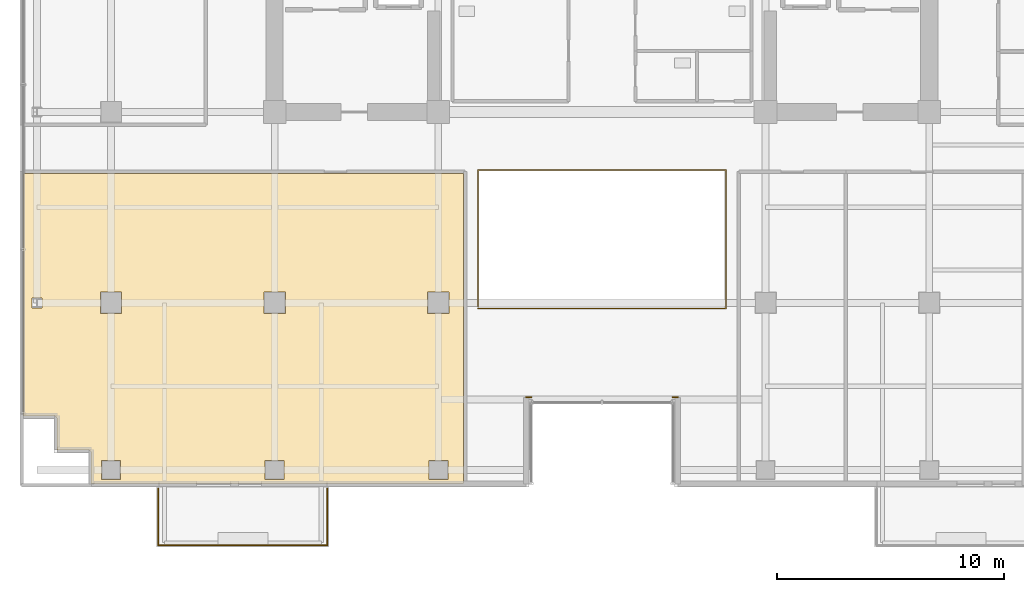
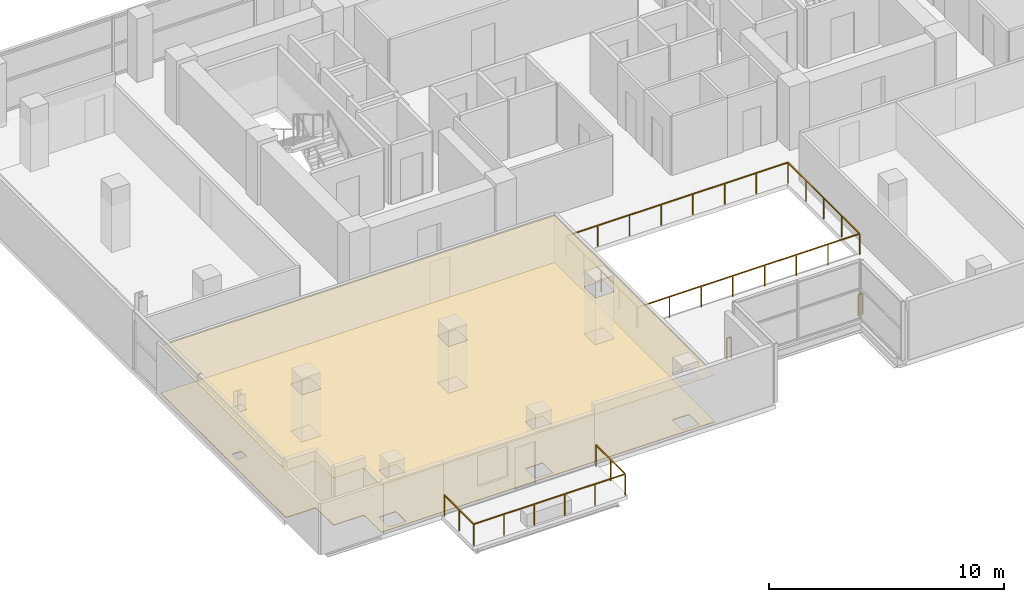
# One storey, part 21 of 25: 4 railings, 2 coverings.
"""IFC4 building model written with IfcOpenShell, lengths in metres."""

from ifc_helpers import new_model, si_unit, direction, frame, origin, origin_2d, place, context, subcontext, project, spatial, polyline, rectangle, outline, extrude, material, layer, layer_set, type_object, element, save


model = new_model("IFC4")

# Units and contexts
model_context = context("Model", 3, precision=1e-05, world=origin(), true_north=direction((0.0, 1.0)))
body_context = subcontext(model_context, "Body", "Model", "MODEL_VIEW")
ifc_project = project(units=[si_unit("LENGTHUNIT", "METRE"), si_unit("AREAUNIT", "SQUARE_METRE"), si_unit("VOLUMEUNIT", "CUBIC_METRE"), si_unit("PLANEANGLEUNIT", "RADIAN"), si_unit("MASSUNIT", "GRAM", prefix="KILO")], contexts=[model_context])

# Site, building, storey
site_placement = place(None, origin())
site = spatial("IfcSite", under=ifc_project, at=site_placement, CompositionType="ELEMENT")
building_placement = place(site_placement, origin())
building = spatial("IfcBuilding", under=site, at=building_placement, Name="Zarnakvel Exchange Tower", CompositionType="ELEMENT")
storey_placement = place(building_placement, frame((0.0, 0.0, 126.39990234375)))
storey = spatial("IfcBuildingStorey", under=building, at=storey_placement, Name="L35", CompositionType="ELEMENT", Elevation=126.39990234375)

# Coverings
ifc_material_1 = material(Name="Perforated Bronze Acoustic Metal Ceiling", Category="aluminium")
ifc_layer_1 = layer(ifc_material_1, 0.02001953125)
ifc_layer_set_1 = layer_set([ifc_layer_1], Name="Perforated Bronze Acoustic Metal Ceiling")
covering_type_1 = type_object("IfcCoveringType", Name="CLG-01", PredefinedType="CEILING", material=ifc_layer_set_1)
covering_1_placement = place(storey_placement, frame((0.0, 0.0, 2.455078125)))
element("IfcCovering", 1, at=covering_1_placement, inside=storey, type_object=covering_type_1, Name="L35 Suspended Acoustic Ceiling (Equities Trading Floor)", PredefinedType="CEILING", context=body_context, shape_type="SweptSolid", body=[
    extrude(outline(polyline([(-6.10009765625, -3.909912109375), (-6.10009765625, -17.550048828125), (-22.47998046875, -17.550048828125), (-22.47998046875, -16.199951171875), (-22.48046875, -16.188232421875), (-22.482421875, -16.176513671875), (-22.485107421875, -16.165283203125), (-22.489013671875, -16.154052734375), (-22.494140625, -16.143310546875), (-22.500244140625, -16.13330078125), (-22.50732421875, -16.123779296875), (-22.51513671875, -16.115234375), (-22.52392578125, -16.107177734375), (-22.533447265625, -16.100341796875), (-22.54345703125, -16.09423828125), (-22.55419921875, -16.089111328125), (-22.565185546875, -16.085205078125), (-22.57666015625, -16.082275390625), (-22.588134765625, -16.08056640625), (-22.60009765625, -16.080078125), (-23.97998046875, -16.080078125), (-23.97998046875, -14.699951171875), (-23.98046875, -14.688232421875), (-23.982421875, -14.676513671875), (-23.985107421875, -14.665283203125), (-23.989013671875, -14.654052734375), (-23.994140625, -14.643310546875), (-24.000244140625, -14.63330078125), (-24.00732421875, -14.623779296875), (-24.01513671875, -14.615234375), (-24.02392578125, -14.607177734375), (-24.033447265625, -14.600341796875), (-24.04345703125, -14.59423828125), (-24.05419921875, -14.589111328125), (-24.065185546875, -14.585205078125), (-24.07666015625, -14.582275390625), (-24.088134765625, -14.58056640625), (-24.10009765625, -14.580078125), (-25.449951171875, -14.580078125), (-25.449951171875, -3.909912109375), (-6.10009765625, -3.909912109375)]), holes=[polyline([(-7.669921875, -10.070068359375), (-6.72998046875, -10.070068359375), (-6.72998046875, -9.1298828125), (-7.669921875, -9.1298828125), (-7.669921875, -10.070068359375)]), polyline([(-6.780029296875, -17.3701171875), (-6.780029296875, -16.530029296875), (-7.6201171875, -16.530029296875), (-7.6201171875, -17.3701171875), (-6.780029296875, -17.3701171875)]), polyline([(-13.929931640625, -10.070068359375), (-13.929931640625, -9.1298828125), (-14.8701171875, -9.1298828125), (-14.8701171875, -10.070068359375), (-13.929931640625, -10.070068359375)]), polyline([(-13.97998046875, -17.3701171875), (-13.97998046875, -16.530029296875), (-14.820068359375, -16.530029296875), (-14.820068359375, -17.3701171875), (-13.97998046875, -17.3701171875)]), polyline([(-21.1298828125, -10.070068359375), (-21.1298828125, -9.1298828125), (-22.070068359375, -9.1298828125), (-22.070068359375, -10.070068359375), (-21.1298828125, -10.070068359375)]), polyline([(-21.179931640625, -17.3701171875), (-21.179931640625, -16.530029296875), (-22.02001953125, -16.530029296875), (-22.02001953125, -17.3701171875), (-21.179931640625, -17.3701171875)]), polyline([(-25.072021484375, -9.823486328125), (-24.6279296875, -9.823486328125), (-24.6279296875, -9.37646484375), (-25.072021484375, -9.37646484375), (-25.072021484375, -9.823486328125)])]), origin(), (0.0, 0.0, 1.0), 0.02001953125),
])
ifc_material_2 = material(Name="Heavy-Duty Raised Access Floor Panel", Category="steel")
ifc_layer_2 = layer(ifc_material_2, 0.034912109375)
ifc_layer_set_2 = layer_set([ifc_layer_2], Name="Heavy-Duty Raised Access Floor Panel")
covering_type_2 = type_object("IfcCoveringType", Name="FLR-02", PredefinedType="FLOORING", material=ifc_layer_set_2)
covering_2_placement = place(storey_placement, origin())
element("IfcCovering", 2, at=covering_2_placement, inside=storey, type_object=covering_type_2, Name="L35 Floor Finish (Equities Trading Floor)", PredefinedType="FLOORING", context=body_context, shape_type="SweptSolid", body=[
    extrude(outline(polyline([(-6.10009765625, -3.909912109375), (-6.10009765625, -17.550048828125), (-22.47998046875, -17.550048828125), (-22.47998046875, -16.199951171875), (-22.48046875, -16.188232421875), (-22.482421875, -16.176513671875), (-22.485107421875, -16.165283203125), (-22.489013671875, -16.154052734375), (-22.494140625, -16.143310546875), (-22.500244140625, -16.13330078125), (-22.50732421875, -16.123779296875), (-22.51513671875, -16.115234375), (-22.52392578125, -16.107177734375), (-22.533447265625, -16.100341796875), (-22.54345703125, -16.09423828125), (-22.55419921875, -16.089111328125), (-22.565185546875, -16.085205078125), (-22.57666015625, -16.082275390625), (-22.588134765625, -16.08056640625), (-22.60009765625, -16.080078125), (-23.97998046875, -16.080078125), (-23.97998046875, -14.699951171875), (-23.98046875, -14.688232421875), (-23.982421875, -14.676513671875), (-23.985107421875, -14.665283203125), (-23.989013671875, -14.654052734375), (-23.994140625, -14.643310546875), (-24.000244140625, -14.63330078125), (-24.00732421875, -14.623779296875), (-24.01513671875, -14.615234375), (-24.02392578125, -14.607177734375), (-24.033447265625, -14.600341796875), (-24.04345703125, -14.59423828125), (-24.05419921875, -14.589111328125), (-24.065185546875, -14.585205078125), (-24.07666015625, -14.582275390625), (-24.088134765625, -14.58056640625), (-24.10009765625, -14.580078125), (-25.449951171875, -14.580078125), (-25.449951171875, -3.909912109375), (-6.10009765625, -3.909912109375)]), holes=[polyline([(-7.669921875, -10.070068359375), (-6.72998046875, -10.070068359375), (-6.72998046875, -9.1298828125), (-7.669921875, -9.1298828125), (-7.669921875, -10.070068359375)]), polyline([(-6.780029296875, -17.3701171875), (-6.780029296875, -16.530029296875), (-7.6201171875, -16.530029296875), (-7.6201171875, -17.3701171875), (-6.780029296875, -17.3701171875)]), polyline([(-13.929931640625, -10.070068359375), (-13.929931640625, -9.1298828125), (-14.8701171875, -9.1298828125), (-14.8701171875, -10.070068359375), (-13.929931640625, -10.070068359375)]), polyline([(-13.97998046875, -17.3701171875), (-13.97998046875, -16.530029296875), (-14.820068359375, -16.530029296875), (-14.820068359375, -17.3701171875), (-13.97998046875, -17.3701171875)]), polyline([(-21.1298828125, -10.070068359375), (-21.1298828125, -9.1298828125), (-22.070068359375, -9.1298828125), (-22.070068359375, -10.070068359375), (-21.1298828125, -10.070068359375)]), polyline([(-21.179931640625, -17.3701171875), (-21.179931640625, -16.530029296875), (-22.02001953125, -16.530029296875), (-22.02001953125, -17.3701171875), (-21.179931640625, -17.3701171875)]), polyline([(-25.072021484375, -9.823486328125), (-24.6279296875, -9.823486328125), (-24.6279296875, -9.37646484375), (-25.072021484375, -9.37646484375), (-25.072021484375, -9.823486328125)])]), origin(), (0.0, 0.0, 1.0), 0.03515625),
])

# Railings
ifc_material_3 = material(Name="Architectural Bronze Anodised Aluminium", Category="aluminium")
railing_type_1 = type_object("IfcRailingType", Name="GR-02", PredefinedType="GUARDRAIL", material=ifc_material_3)
railing_1_placement = place(storey_placement, frame((-19.52001953125, -17.780029296875, -0.034912109375)))
element("IfcRailing", 3, at=railing_1_placement, inside=storey, type_object=railing_type_1, Name="L35 Balcony Guardrail BAL-L35-SW", PredefinedType="GUARDRAIL", context=body_context, shape_type="SweptSolid", body=[
    extrude(rectangle(XDim=0.048095703125, YDim=0.048095703125, at=origin_2d()), frame((0.0, 0.0, 1.09619140625), z_axis=(0.0, -1.0, 0.0), x_axis=(1.0, 0.0, 0.0)), (0.0, 0.0, 1.0), 2.489990234375),
    extrude(rectangle(XDim=0.048095703125, YDim=0.048095703125, at=origin_2d()), frame((0.0, -2.489990234375, 1.09619140625), z_axis=(1.0, 0.0, 0.0), x_axis=(0.0, 1.0, 0.0)), (0.0, 0.0, 1.0), 7.43994140625),
    extrude(rectangle(XDim=0.048095703125, YDim=0.048095703125, at=origin_2d()), frame((7.43994140625, -2.489990234375, 1.09619140625), z_axis=(0.0, 1.0, 0.0), x_axis=(-1.0, 0.0, 0.0)), (0.0, 0.0, 1.0), 2.489990234375),
    extrude(rectangle(XDim=0.0419921875, YDim=0.0419921875, at=origin_2d()), origin(), (0.0, 0.0, 1.0), 1.072021484375),
    extrude(rectangle(XDim=0.0419921875, YDim=0.0419921875, at=origin_2d()), frame((0.0, -1.2451171875, 0.0)), (0.0, 0.0, 1.0), 1.072021484375),
    extrude(rectangle(XDim=0.0419921875, YDim=0.0419921875, at=origin_2d()), frame((0.0, -2.489990234375, 0.0)), (0.0, 0.0, 1.0), 1.072021484375),
    extrude(rectangle(XDim=0.0419921875, YDim=0.0419921875, at=origin_2d()), frame((1.488037109375, -2.489990234375, 0.0)), (0.0, 0.0, 1.0), 1.072021484375),
    extrude(rectangle(XDim=0.0419921875, YDim=0.0419921875, at=origin_2d()), frame((2.97607421875, -2.489990234375, 0.0)), (0.0, 0.0, 1.0), 1.072021484375),
    extrude(rectangle(XDim=0.0419921875, YDim=0.0419921875, at=origin_2d()), frame((4.4638671875, -2.489990234375, 0.0)), (0.0, 0.0, 1.0), 1.072021484375),
    extrude(rectangle(XDim=0.0419921875, YDim=0.0419921875, at=origin_2d()), frame((5.951904296875, -2.489990234375, 0.0)), (0.0, 0.0, 1.0), 1.072021484375),
    extrude(rectangle(XDim=0.0419921875, YDim=0.0419921875, at=origin_2d()), frame((7.43994140625, -2.489990234375, 0.0)), (0.0, 0.0, 1.0), 1.072021484375),
    extrude(rectangle(XDim=0.0419921875, YDim=0.0419921875, at=origin_2d()), frame((7.43994140625, -1.2451171875, 0.0)), (0.0, 0.0, 1.0), 1.072021484375),
    extrude(rectangle(XDim=0.0419921875, YDim=0.0419921875, at=origin_2d()), frame((7.43994140625, 0.0, 0.0)), (0.0, 0.0, 1.0), 1.072021484375),
])
for number, where, name in (
    (4, (3.340087890625, -13.760009765625, 0.0), "L35 Corner Spandrel Balustrade #18"),
    (5, (-3.1201171875, -13.760009765625, 0.0), "L35 Corner Spandrel Balustrade #19"),
):
    element("IfcRailing", number, at=place(storey_placement, frame(where)), inside=storey, type_object=railing_type_1, Name=name, PredefinedType="GUARDRAIL", context=body_context, shape_type="SweptSolid", body=[
        extrude(rectangle(XDim=0.048095703125, YDim=0.048095703125, at=origin_2d()), frame((0.0, 0.0, 1.09619140625), z_axis=(-1.0, 0.0, 0.0), x_axis=(0.0, -1.0, 0.0)), (0.0, 0.0, 1.0), 0.219970703125),
        extrude(rectangle(XDim=0.0419921875, YDim=0.0419921875, at=origin_2d()), origin(), (0.0, 0.0, 1.0), 1.072021484375),
        extrude(rectangle(XDim=0.0419921875, YDim=0.0419921875, at=origin_2d()), frame((-0.219970703125, 0.0, 0.0)), (0.0, 0.0, 1.0), 1.072021484375),
    ])
railing_type_2 = type_object("IfcRailingType", Name="GR-03", PredefinedType="GUARDRAIL", material=ifc_material_3)
railing_2_placement = place(storey_placement, frame((-5.449951171875, -9.85009765625, 0.0)))
element("IfcRailing", 6, at=railing_2_placement, inside=storey, type_object=railing_type_2, Name="L35 Atrium Void Perimeter Balustrade", PredefinedType="GUARDRAIL", context=body_context, shape_type="SweptSolid", body=[
    extrude(rectangle(XDim=0.048095703125, YDim=0.048095703125, at=origin_2d()), frame((0.0, 0.0, 1.076171875), z_axis=(1.0, 0.0, 0.0), x_axis=(0.0, 1.0, 0.0)), (0.0, 0.0, 1.0), 10.89990234375),
    extrude(rectangle(XDim=0.048095703125, YDim=0.048095703125, at=origin_2d()), frame((10.89990234375, 0.0, 1.076171875), z_axis=(0.0, 1.0, 0.0), x_axis=(-1.0, 0.0, 0.0)), (0.0, 0.0, 1.0), 6.10009765625),
    extrude(rectangle(XDim=0.048095703125, YDim=0.048095703125, at=origin_2d()), frame((10.89990234375, 6.10009765625, 1.076171875), z_axis=(-1.0, 0.0, 0.0), x_axis=(0.0, -1.0, 0.0)), (0.0, 0.0, 1.0), 10.89990234375),
    extrude(rectangle(XDim=0.048095703125, YDim=0.048095703125, at=origin_2d()), frame((0.0, 6.10009765625, 1.076171875), z_axis=(0.0, -1.0, 0.0), x_axis=(1.0, 0.0, 0.0)), (0.0, 0.0, 1.0), 6.02001953125),
    extrude(rectangle(XDim=0.0419921875, YDim=0.0419921875, at=origin_2d()), origin(), (0.0, 0.0, 1.0), 1.052001953125),
    extrude(rectangle(XDim=0.0419921875, YDim=0.0419921875, at=origin_2d()), frame((1.55712890625, 0.0, 0.0)), (0.0, 0.0, 1.0), 1.052001953125),
    extrude(rectangle(XDim=0.0419921875, YDim=0.0419921875, at=origin_2d()), frame((3.1142578125, 0.0, 0.0)), (0.0, 0.0, 1.0), 1.052001953125),
    extrude(rectangle(XDim=0.0419921875, YDim=0.0419921875, at=origin_2d()), frame((4.67138671875, 0.0, 0.0)), (0.0, 0.0, 1.0), 1.052001953125),
    extrude(rectangle(XDim=0.0419921875, YDim=0.0419921875, at=origin_2d()), frame((6.228515625, 0.0, 0.0)), (0.0, 0.0, 1.0), 1.052001953125),
    extrude(rectangle(XDim=0.0419921875, YDim=0.0419921875, at=origin_2d()), frame((7.78564453125, 0.0, 0.0)), (0.0, 0.0, 1.0), 1.052001953125),
    extrude(rectangle(XDim=0.0419921875, YDim=0.0419921875, at=origin_2d()), frame((9.3427734375, 0.0, 0.0)), (0.0, 0.0, 1.0), 1.052001953125),
    extrude(rectangle(XDim=0.0419921875, YDim=0.0419921875, at=origin_2d()), frame((10.89990234375, 0.0, 0.0)), (0.0, 0.0, 1.0), 1.052001953125),
    extrude(rectangle(XDim=0.0419921875, YDim=0.0419921875, at=origin_2d()), frame((10.89990234375, 1.52490234375, 0.0)), (0.0, 0.0, 1.0), 1.052001953125),
    extrude(rectangle(XDim=0.0419921875, YDim=0.0419921875, at=origin_2d()), frame((10.89990234375, 3.050048828125, 0.0)), (0.0, 0.0, 1.0), 1.052001953125),
    extrude(rectangle(XDim=0.0419921875, YDim=0.0419921875, at=origin_2d()), frame((10.89990234375, 4.5751953125, 0.0)), (0.0, 0.0, 1.0), 1.052001953125),
    extrude(rectangle(XDim=0.0419921875, YDim=0.0419921875, at=origin_2d()), frame((10.89990234375, 6.10009765625, 0.0)), (0.0, 0.0, 1.0), 1.052001953125),
    extrude(rectangle(XDim=0.0419921875, YDim=0.0419921875, at=origin_2d()), frame((9.3427734375, 6.10009765625, 0.0)), (0.0, 0.0, 1.0), 1.052001953125),
    extrude(rectangle(XDim=0.0419921875, YDim=0.0419921875, at=origin_2d()), frame((7.78564453125, 6.10009765625, 0.0)), (0.0, 0.0, 1.0), 1.052001953125),
    extrude(rectangle(XDim=0.0419921875, YDim=0.0419921875, at=origin_2d()), frame((6.228515625, 6.10009765625, 0.0)), (0.0, 0.0, 1.0), 1.052001953125),
    extrude(rectangle(XDim=0.0419921875, YDim=0.0419921875, at=origin_2d()), frame((4.67138671875, 6.10009765625, 0.0)), (0.0, 0.0, 1.0), 1.052001953125),
    extrude(rectangle(XDim=0.0419921875, YDim=0.0419921875, at=origin_2d()), frame((3.1142578125, 6.10009765625, 0.0)), (0.0, 0.0, 1.0), 1.052001953125),
    extrude(rectangle(XDim=0.0419921875, YDim=0.0419921875, at=origin_2d()), frame((1.55712890625, 6.10009765625, 0.0)), (0.0, 0.0, 1.0), 1.052001953125),
    extrude(rectangle(XDim=0.0419921875, YDim=0.0419921875, at=origin_2d()), frame((0.0, 6.10009765625, 0.0)), (0.0, 0.0, 1.0), 1.052001953125),
    extrude(rectangle(XDim=0.0419921875, YDim=0.0419921875, at=origin_2d()), frame((0.0, 4.59521484375, 0.0)), (0.0, 0.0, 1.0), 1.052001953125),
    extrude(rectangle(XDim=0.0419921875, YDim=0.0419921875, at=origin_2d()), frame((0.0, 3.090087890625, 0.0)), (0.0, 0.0, 1.0), 1.052001953125),
    extrude(rectangle(XDim=0.0419921875, YDim=0.0419921875, at=origin_2d()), frame((0.0, 1.5849609375, 0.0)), (0.0, 0.0, 1.0), 1.052001953125),
    extrude(rectangle(XDim=0.0419921875, YDim=0.0419921875, at=origin_2d()), frame((0.0, 0.080078125, 0.0)), (0.0, 0.0, 1.0), 1.052001953125),
])

save(model, "model.ifc")
